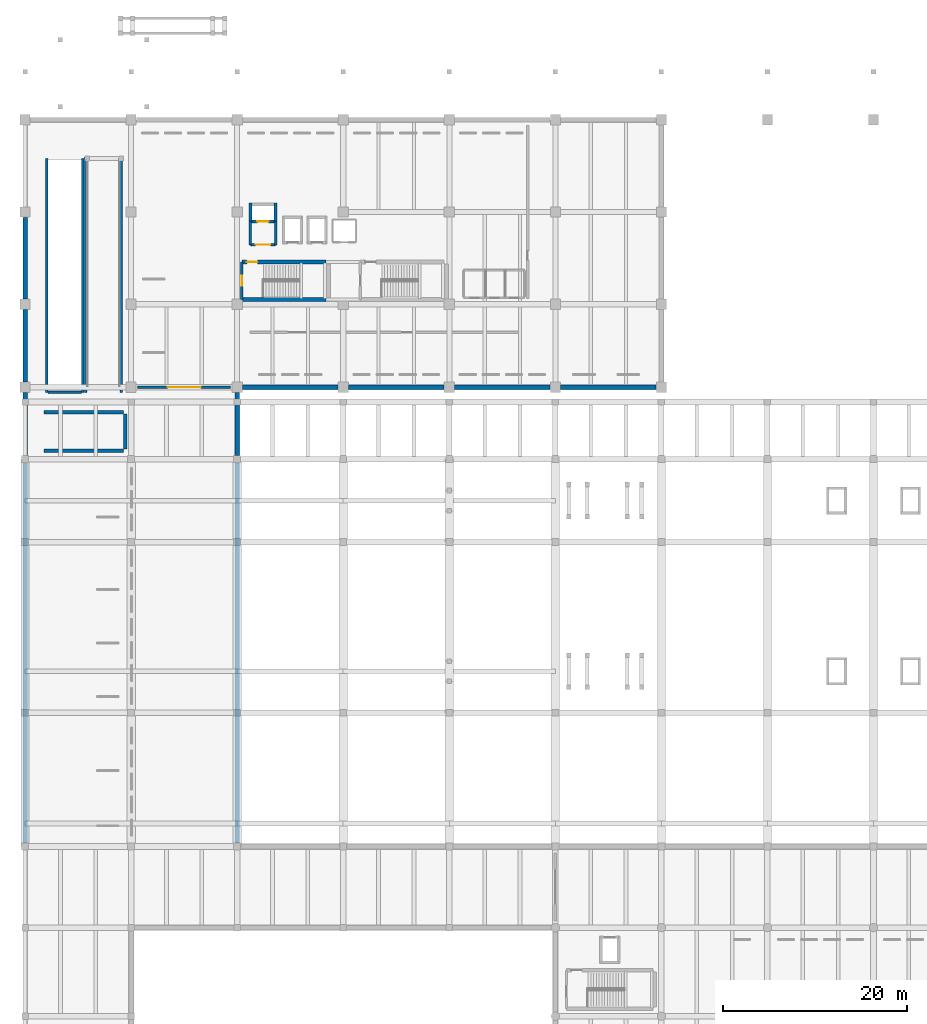
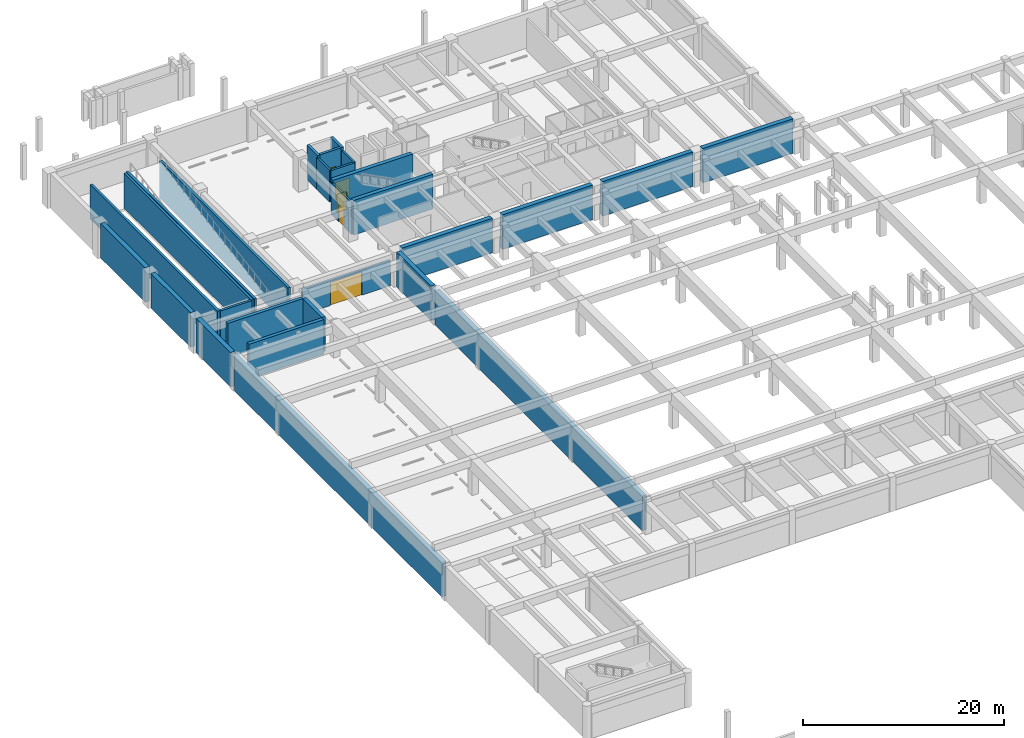
# One storey, part 11 of 20: 28 walls, 5 doors, 5 openings.
"""IFC4 building model written with IfcOpenShell, lengths in metres."""

from ifc_helpers import new_model, si_unit, direction, frame, frame_2d, origin, place, context, subcontext, project, spatial, rectangle, extrude, material, layer, layer_set, type_object, element, fill, save


model = new_model("IFC4")

# Units and contexts
model_context = context("Model", 3, precision=1e-05, world=origin(), true_north=direction((0.0, 1.0)))
body_context = subcontext(model_context, "Body", "Model", "MODEL_VIEW")
ifc_project = project(units=[si_unit("LENGTHUNIT", "METRE"), si_unit("AREAUNIT", "SQUARE_METRE"), si_unit("VOLUMEUNIT", "CUBIC_METRE"), si_unit("PLANEANGLEUNIT", "RADIAN"), si_unit("MASSUNIT", "GRAM", prefix="KILO")], contexts=[model_context])

# Site, building, storey
site_placement = place(None, origin())
site = spatial("IfcSite", under=ifc_project, at=site_placement, CompositionType="ELEMENT")
building_placement = place(site_placement, origin())
building = spatial("IfcBuilding", under=site, at=building_placement, Name="Ologun Quay Terminus", CompositionType="ELEMENT")
storey_placement = place(building_placement, frame((0.0, 0.0, -4.199951171875)))
storey = spatial("IfcBuildingStorey", under=building, at=storey_placement, Name="B01", CompositionType="ELEMENT", Elevation=-4.199951171875)

# Walls
ifc_material_1 = material(Name="Concrete C35/45", Category="concrete")
ifc_layer_1 = layer(ifc_material_1, 0.5)
ifc_layer_set_1 = layer_set([ifc_layer_1], Name="Concrete C35/45")
wall_type_1 = type_object("IfcWallType", Name="Basement Perimeter Retaining Wall 500", PredefinedType="SHEAR", material=ifc_layer_set_1)
wall_1_placement = place(storey_placement, frame((0.0, 36.39501953125, 0.0), z_axis=(0.0, 0.0, 1.0), x_axis=(0.0, 1.0, 0.0)))
element("IfcWall", 1, at=wall_1_placement, inside=storey, type_object=wall_type_1, Name="Retaining Wall WG-Y4 B01", PredefinedType="SHEAR", context=body_context, shape_type="SweptSolid", body=[
    extrude(rectangle(XDim=41.2099609375, YDim=0.5, at=frame_2d((20.60498046875, 0.0))), origin(), (0.0, 0.0, 1.0), 4.199951171875),
])
wall_2_placement = place(storey_placement, frame((0.0, 78.39501953125, 0.0), z_axis=(0.0, 0.0, 1.0), x_axis=(0.0, 1.0, 0.0)))
element("IfcWall", 2, at=wall_2_placement, inside=storey, type_object=wall_type_1, Name="Retaining Wall WG-Y5 B01", PredefinedType="SHEAR", context=body_context, shape_type="SweptSolid", body=[
    extrude(rectangle(XDim=6.8349609375, YDim=0.5, at=frame_2d((3.41748046875, 0.0))), origin(), (0.0, 0.0, 1.0), 4.199951171875),
])
wall_3_placement = place(storey_placement, frame((0.0, 86.3701171875, 0.0), z_axis=(0.0, 0.0, 1.0), x_axis=(0.0, 1.0, 0.0)))
element("IfcWall", 3, at=wall_3_placement, inside=storey, type_object=wall_type_1, Name="Retaining Wall WG-Y6 B01", PredefinedType="SHEAR", context=body_context, shape_type="SweptSolid", body=[
    extrude(rectangle(XDim=7.85986328125, YDim=0.5, at=frame_2d((3.929931640625, 0.0))), origin(), (0.0, 0.0, 1.0), 4.199951171875),
])
wall_4_placement = place(storey_placement, frame((0.0, 95.3701171875, 0.0), z_axis=(0.0, 0.0, 1.0), x_axis=(0.0, 1.0, 0.0)))
element("IfcWall", 4, at=wall_4_placement, inside=storey, type_object=wall_type_1, Name="Retaining Wall WG-Y7 B01", PredefinedType="SHEAR", context=body_context, shape_type="SweptSolid", body=[
    extrude(rectangle(XDim=8.85986328125, YDim=0.5, at=frame_2d((4.429931640625, 0.0))), origin(), (0.0, 0.0, 1.0), 4.199951171875),
])
wall_5_placement = place(storey_placement, frame((23.0, 36.39501953125, 0.0), z_axis=(0.0, 0.0, 1.0), x_axis=(0.0, 1.0, 0.0)))
element("IfcWall", 5, at=wall_5_placement, inside=storey, type_object=wall_type_1, Name="Retaining Wall TW-Y1 B01", PredefinedType="SHEAR", context=body_context, shape_type="SweptSolid", body=[
    extrude(rectangle(XDim=41.2099609375, YDim=0.5, at=frame_2d((20.60498046875, 0.0))), origin(), (0.0, 0.0, 1.0), 4.199951171875),
])
wall_6_placement = place(storey_placement, frame((23.0, 78.39501953125, 0.0), z_axis=(0.0, 0.0, 1.0), x_axis=(0.0, 1.0, 0.0)))
element("IfcWall", 6, at=wall_6_placement, inside=storey, type_object=wall_type_1, Name="Retaining Wall TW-Y2 B01", PredefinedType="SHEAR", context=body_context, shape_type="SweptSolid", body=[
    extrude(rectangle(XDim=6.8349609375, YDim=0.5, at=frame_2d((3.41748046875, 0.0))), origin(), (0.0, 0.0, 1.0), 4.199951171875),
])
for number, where, z_axis, x_axis, name in (
    (7, (23.570068359375, 85.800048828125, 0.0), (0.0, 0.0, 1.0), (1.0, 0.0, 0.0), "Retaining Wall TNW-3 B01"),
    (8, (35.070068359375, 85.800048828125, 0.0), (0.0, 0.0, 1.0), (1.0, 0.0, 0.0), "Retaining Wall TNW-4 B01"),
    (9, (46.570068359375, 85.800048828125, 0.0), (0.0, 0.0, 1.0), (1.0, 0.0, 0.0), "Retaining Wall TNW-5 B01"),
    (10, (58.070068359375, 85.800048828125, 0.0), (0.0, 0.0, 1.0), (1.0, 0.0, 0.0), "Retaining Wall TNW-6 B01"),
):
    element("IfcWall", number, at=place(storey_placement, frame(where, z_axis=z_axis, x_axis=x_axis)), inside=storey, type_object=wall_type_1, Name=name, PredefinedType="SHEAR", context=body_context, shape_type="SweptSolid", body=[
        extrude(rectangle(XDim=10.35986328125, YDim=0.5, at=frame_2d((5.179931640625, 0.0))), origin(), (0.0, 0.0, 1.0), 4.199951171875),
    ])
ifc_material_2 = material(Name="Concrete C45/55", Category="concrete")
ifc_layer_2 = layer(ifc_material_2, 0.449951171875)
ifc_layer_set_2 = layer_set([ifc_layer_2], Name="Concrete C45/55")
wall_type_2 = type_object("IfcWallType", Name="Coupled Wing Primary Core Shear Wall 450", PredefinedType="SHEAR", material=ifc_layer_set_2)
wall_7_placement = place(storey_placement, frame((23.5, 95.324951171875, 0.0), z_axis=(0.0, 0.0, 1.0), x_axis=(1.0, 0.0, 0.0)))
element("IfcWall", 11, at=wall_7_placement, inside=storey, type_object=wall_type_2, Name="WC1 Core South Shear Wall B01", PredefinedType="SHEAR", context=body_context, shape_type="SweptSolid", body=[
    extrude(rectangle(XDim=9.14990234375, YDim=0.449951171875, at=frame_2d((4.574951171875, 0.0))), origin(), (0.0, 0.0, 1.0), 4.199951171875),
])

# Wall, opening, door
wall_8_placement = place(storey_placement, frame((23.5, 99.375, 0.0), z_axis=(0.0, 0.0, 1.0), x_axis=(1.0, 0.0, 0.0)))
wall_8 = element("IfcWall", 12, at=wall_8_placement, inside=storey, type_object=wall_type_2, Name="WC1 Core North Shear Wall B01", PredefinedType="SHEAR", context=body_context, shape_type="SweptSolid", body=[
    extrude(rectangle(XDim=9.14990234375, YDim=0.449951171875, at=frame_2d((4.574951171875, 0.0))), origin(), (0.0, 0.0, 1.0), 4.199951171875),
])
opening_1_placement = place(wall_8_placement, frame((0.550048828125, 0.0, 0.0)))
opening_1 = element("IfcOpeningElement", 13, at=opening_1_placement, cuts=wall_8, Name="Opening ID-078", PredefinedType="OPENING", context=body_context, shape_type="SweptSolid", body=[
    extrude(rectangle(XDim=1.1298828125, YDim=2.14990234375, at=frame_2d((0.56494140625, 1.074951171875))), frame((0.0, 0.23486328125, 0.0), z_axis=(0.0, -1.0, 0.0), x_axis=(1.0, 0.0, 0.0)), (0.0, 0.0, 1.0), 0.469970703125),
])
ifc_material_3 = material(Name="Steel S355", Category="steel")
door_type_1 = type_object("IfcDoorType", Name="Stairwell Fire Escape Door 1130x2150", OperationType="SINGLE_SWING_LEFT", PredefinedType="DOOR", material=ifc_material_3)
door_1_placement = place(opening_1_placement, frame((0.56494140625, 0.0, 0.0), z_axis=(0.0, 0.0, 1.0), x_axis=(-1.0, 0.0, 0.0)))
door_1 = element("IfcDoor", 14, at=door_1_placement, inside=storey, type_object=door_type_1, Name="FD-01 Door ID-078", OperationType="SINGLE_SWING_LEFT", OverallHeight=2.14990234375, OverallWidth=1.1298828125, PredefinedType="DOOR", context=body_context, shape_type="SweptSolid", body=[
    extrude(rectangle(XDim=1.1298828125, YDim=2.14990234375, at=frame_2d((0.0, 1.074951171875))), frame((0.0, 0.02490234375, 0.0), z_axis=(0.0, -1.0, 0.0), x_axis=(1.0, 0.0, 0.0)), (0.0, 0.0, 1.0), 0.050048828125),
])
fill(opening_1, door_1)

ifc_material_4 = material(Name="Concrete C40/50", Category="concrete")
ifc_layer_3 = layer(ifc_material_4, 0.239990234375)
ifc_layer_set_3 = layer_set([ifc_layer_3], Name="Concrete C40/50")
wall_type_3 = type_object("IfcWallType", Name="Fire Compartment Blockwork Wall 240", PredefinedType="SOLIDWALL", material=ifc_layer_set_3)
wall_9_placement = place(storey_placement, frame((23.5, 95.330078125, 0.0), z_axis=(0.0, 0.0, 1.0), x_axis=(0.0, 1.0, 0.0)))
wall_9 = element("IfcWall", 15, at=wall_9_placement, inside=storey, type_object=wall_type_3, Name="PW-01 Partition WStair1-W", PredefinedType="SOLIDWALL", context=body_context, shape_type="SweptSolid", body=[
    extrude(rectangle(XDim=4.0400390625, YDim=0.239990234375, at=frame_2d((2.02001953125, 0.0))), origin(), (0.0, 0.0, 1.0), 3.85986328125),
])
opening_2_placement = place(wall_9_placement, frame((1.449951171875, 0.0, 0.0)))
opening_2 = element("IfcOpeningElement", 16, at=opening_2_placement, cuts=wall_9, Name="Opening ID-077", PredefinedType="OPENING", context=body_context, shape_type="SweptSolid", body=[
    extrude(rectangle(XDim=1.1298828125, YDim=2.14990234375, at=frame_2d((0.56494140625, 1.074951171875))), frame((0.0, 0.1298828125, 0.0), z_axis=(0.0, -1.0, 0.0), x_axis=(1.0, 0.0, 0.0)), (0.0, 0.0, 1.0), 0.260009765625),
])
door_2_placement = place(opening_2_placement, frame((0.56494140625, 0.0, 0.0), z_axis=(0.0, 0.0, 1.0), x_axis=(-1.0, 0.0, 0.0)))
door_2 = element("IfcDoor", 17, at=door_2_placement, inside=storey, type_object=door_type_1, Name="FD-01 Door ID-077", OperationType="SINGLE_SWING_LEFT", OverallHeight=2.14990234375, OverallWidth=1.1298828125, PredefinedType="DOOR", context=body_context, shape_type="SweptSolid", body=[
    extrude(rectangle(XDim=1.1298828125, YDim=2.14990234375, at=frame_2d((0.0, 1.074951171875))), frame((0.0, 0.02490234375, 0.0), z_axis=(0.0, -1.0, 0.0), x_axis=(1.0, 0.0, 0.0)), (0.0, 0.0, 1.0), 0.050048828125),
])
fill(opening_2, door_2)

wall_10_placement = place(storey_placement, frame((24.419921875, 101.25, 0.0), z_axis=(0.0, 0.0, 1.0), x_axis=(1.0, 0.0, 0.0)))
wall_10 = element("IfcWall", 18, at=wall_10_placement, inside=storey, type_object=wall_type_3, Name="PW-01 Partition WFFL-S", PredefinedType="SOLIDWALL", context=body_context, shape_type="SweptSolid", body=[
    extrude(rectangle(XDim=2.760009765625, YDim=0.239990234375, at=frame_2d((1.3798828125, 0.0))), origin(), (0.0, 0.0, 1.0), 3.85986328125),
])
opening_3_placement = place(wall_10_placement, frame((0.580078125, 0.0, 0.0)))
opening_3 = element("IfcOpeningElement", 19, at=opening_3_placement, cuts=wall_10, Name="Opening ID-081", PredefinedType="OPENING", context=body_context, shape_type="SweptSolid", body=[
    extrude(rectangle(XDim=1.60009765625, YDim=2.14990234375, at=frame_2d((0.800048828125, 1.074951171875))), frame((0.0, 0.1298828125, 0.0), z_axis=(0.0, -1.0, 0.0), x_axis=(1.0, 0.0, 0.0)), (0.0, 0.0, 1.0), 0.260009765625),
])
ifc_material_5 = material(Name="Steel S355", Category="steel")
door_type_2 = type_object("IfcDoorType", Name="Firefighting Lobby Double Smoke Door 1600x2150", OperationType="DOUBLE_DOOR_SINGLE_SWING", PredefinedType="DOOR", material=ifc_material_5)
door_3_placement = place(opening_3_placement, origin())
door_3 = element("IfcDoor", 20, at=door_3_placement, inside=storey, type_object=door_type_2, Name="FD-02 Door ID-081", OperationType="DOUBLE_DOOR_SINGLE_SWING", OverallHeight=2.14990234375, OverallWidth=1.60009765625, PredefinedType="DOOR", context=body_context, shape_type="SweptSolid", body=[
    extrude(rectangle(XDim=1.60009765625, YDim=2.14990234375, at=frame_2d((0.800048828125, 1.074951171875))), frame((0.0, 0.02490234375, 0.0), z_axis=(0.0, -1.0, 0.0), x_axis=(1.0, 0.0, 0.0)), (0.0, 0.0, 1.0), 0.050048828125),
])
fill(opening_3, door_3)

# Walls
for number, where, z_axis, x_axis, name in (
    (21, (24.419921875, 101.25, 0.0), (0.0, 0.0, 1.0), (0.0, 1.0, 0.0), "PW-01 Partition WFFL-W"),
    (22, (27.179931640625, 101.25, 0.0), (0.0, 0.0, 1.0), (0.0, 1.0, 0.0), "PW-01 Partition WFFL-E"),
):
    element("IfcWall", number, at=place(storey_placement, frame(where, z_axis=z_axis, x_axis=x_axis)), inside=storey, type_object=wall_type_3, Name=name, PredefinedType="SOLIDWALL", context=body_context, shape_type="SweptSolid", body=[
        extrude(rectangle(XDim=2.60009765625, YDim=0.239990234375, at=frame_2d((1.300048828125, 0.0))), origin(), (0.0, 0.0, 1.0), 3.85986328125),
    ])

# Wall, opening, door
wall_11_placement = place(storey_placement, frame((12.199951171875, 85.800048828125, 0.0), z_axis=(0.0, 0.0, 1.0), x_axis=(1.0, 0.0, 0.0)))
wall_11 = element("IfcWall", 23, at=wall_11_placement, inside=storey, type_object=wall_type_3, Name="PW-01 Partition B01-WestCPK-Portal", PredefinedType="SOLIDWALL", context=body_context, shape_type="SweptSolid", body=[
    extrude(rectangle(XDim=10.10009765625, YDim=0.239990234375, at=frame_2d((5.050048828125, 0.0))), origin(), (0.0, 0.0, 1.0), 3.079833984375),
])
opening_4_placement = place(wall_11_placement, frame((3.25, 0.0, 0.0)))
opening_4 = element("IfcOpeningElement", 24, at=opening_4_placement, cuts=wall_11, Name="Opening ID-287", PredefinedType="OPENING", context=body_context, shape_type="SweptSolid", body=[
    extrude(rectangle(XDim=3.60009765625, YDim=2.800048828125, at=frame_2d((1.800048828125, 1.39990234375))), frame((0.0, 0.1298828125, 0.0), z_axis=(0.0, -1.0, 0.0), x_axis=(1.0, 0.0, 0.0)), (0.0, 0.0, 1.0), 0.260009765625),
])
ifc_material_6 = material(Name="Steel S355", Category="steel")
door_type_3 = type_object("IfcDoorType", Name="Car Park Chamber Roller Shutter Gate 3600x2800", OperationType="ROLLINGUP", PredefinedType="GATE", material=ifc_material_6)
door_4_placement = place(opening_4_placement, origin())
door_4 = element("IfcDoor", 25, at=door_4_placement, inside=storey, type_object=door_type_3, Name="VD-01 Door ID-287", OperationType="ROLLINGUP", OverallHeight=2.800048828125, OverallWidth=3.60009765625, PredefinedType="GATE", context=body_context, shape_type="SweptSolid", body=[
    extrude(rectangle(XDim=3.60009765625, YDim=2.800048828125, at=frame_2d((1.800048828125, 1.39990234375))), frame((0.0, 0.02490234375, 0.0), z_axis=(0.0, -1.0, 0.0), x_axis=(1.0, 0.0, 0.0)), (0.0, 0.0, 1.0), 0.050048828125),
])
fill(opening_4, door_4)

ifc_material_7 = material(Name="Concrete C40/50", Category="concrete")
ifc_layer_4 = layer(ifc_material_7, 0.300048828125)
ifc_layer_set_4 = layer_set([ifc_layer_4], Name="Concrete C40/50")
wall_type_4 = type_object("IfcWallType", Name="Lift Shaft Structural Shear Wall 300", PredefinedType="SHEAR", material=ifc_layer_set_4)
wall_12_placement = place(storey_placement, frame((24.449951171875, 103.780029296875, 0.0), z_axis=(0.0, 0.0, 1.0), x_axis=(1.0, 0.0, 0.0)))
wall_12 = element("IfcWall", 26, at=wall_12_placement, inside=storey, type_object=wall_type_4, Name="Lift FFL-01 Shaft Wall S B01", PredefinedType="SHEAR", context=body_context, shape_type="SweptSolid", body=[
    extrude(rectangle(XDim=2.699951171875, YDim=0.300048828125, at=frame_2d((1.35009765625, 0.0))), origin(), (0.0, 0.0, 1.0), 4.199951171875),
])
opening_5_placement = place(wall_12_placement, frame((0.75, 0.0, 0.0)))
opening_5 = element("IfcOpeningElement", 27, at=opening_5_placement, cuts=wall_12, Name="Opening ID-002", PredefinedType="OPENING", context=body_context, shape_type="SweptSolid", body=[
    extrude(rectangle(XDim=1.199951171875, YDim=2.14990234375, at=frame_2d((0.60009765625, 1.074951171875))), frame((0.0, 0.16015625, 0.0), z_axis=(0.0, -1.0, 0.0), x_axis=(1.0, 0.0, 0.0)), (0.0, 0.0, 1.0), 0.320068359375),
])
ifc_material_8 = material(Name="Steel S355", Category="steel")
door_type_4 = type_object("IfcDoorType", Name="Firefighting Lift Landing Sliding Door 1200x2150", OperationType="SLIDING_TO_RIGHT", PredefinedType="DOOR", material=ifc_material_8)
door_5_placement = place(opening_5_placement, origin())
door_5 = element("IfcDoor", 28, at=door_5_placement, inside=storey, type_object=door_type_4, Name="LD-02 Door ID-002", OperationType="SLIDING_TO_RIGHT", OverallHeight=2.14990234375, OverallWidth=1.199951171875, PredefinedType="DOOR", context=body_context, shape_type="SweptSolid", body=[
    extrude(rectangle(XDim=1.199951171875, YDim=2.14990234375, at=frame_2d((0.60009765625, 1.074951171875))), frame((0.0, 0.02490234375, 0.0), z_axis=(0.0, -1.0, 0.0), x_axis=(1.0, 0.0, 0.0)), (0.0, 0.0, 1.0), 0.050048828125),
])
fill(opening_5, door_5)

# Walls
for number, where, z_axis, x_axis, name in (
    (29, (24.449951171875, 103.6298828125, 0.0), (0.0, 0.0, 1.0), (0.0, 1.0, 0.0), "Lift FFL-01 Shaft Wall W B01"),
    (30, (27.14990234375, 103.6298828125, 0.0), (0.0, 0.0, 1.0), (0.0, 1.0, 0.0), "Lift FFL-01 Shaft Wall E B01"),
):
    element("IfcWall", number, at=place(storey_placement, frame(where, z_axis=z_axis, x_axis=x_axis)), inside=storey, type_object=wall_type_4, Name=name, PredefinedType="SHEAR", context=body_context, shape_type="SweptSolid", body=[
        extrude(rectangle(XDim=2.14013671875, YDim=0.300048828125, at=frame_2d((1.070068359375, 0.0))), origin(), (0.0, 0.0, 1.0), 4.199951171875),
    ])
ifc_material_9 = material(Name="Concrete C40/50", Category="concrete")
ifc_layer_5 = layer(ifc_material_9, 0.3798828125)
ifc_layer_set_5 = layer_set([ifc_layer_5], Name="Concrete C40/50")
wall_type_5 = type_object("IfcWallType", Name="Platform Spine Shear Wall 380", PredefinedType="SHEAR", material=ifc_layer_set_5)
for number, where, z_axis, x_axis, name in (
    (31, (2.050048828125, 78.909912109375, 0.0), (0.0, 0.0, 1.0), (1.0, 0.0, 0.0), "Station Core 5 S Shear Wall B01"),
    (32, (2.050048828125, 83.090087890625, 0.0), (0.0, 0.0, 1.0), (1.0, 0.0, 0.0), "Station Core 5 N Shear Wall B01"),
):
    element("IfcWall", number, at=place(storey_placement, frame(where, z_axis=z_axis, x_axis=x_axis)), inside=storey, type_object=wall_type_5, Name=name, PredefinedType="SHEAR", context=body_context, shape_type="SweptSolid", body=[
        extrude(rectangle(XDim=8.599853515625, YDim=0.3798828125, at=frame_2d((4.2998046875, 0.0))), origin(), (0.0, 0.0, 1.0), 4.199951171875),
    ])
wall_13_placement = place(storey_placement, frame((10.840087890625, 79.10009765625, 0.0), z_axis=(0.0, 0.0, 1.0), x_axis=(0.0, 1.0, 0.0)))
element("IfcWall", 33, at=wall_13_placement, inside=storey, type_object=wall_type_5, Name="Station Core 5 E Shear Wall B01", PredefinedType="SHEAR", context=body_context, shape_type="SweptSolid", body=[
    extrude(rectangle(XDim=3.7998046875, YDim=0.3798828125, at=frame_2d((1.89990234375, 0.0))), origin(), (0.0, 0.0, 1.0), 4.199951171875),
])
ifc_material_10 = material(Name="Concrete C40/50", Category="concrete")
ifc_layer_6 = layer(ifc_material_10, 0.27001953125)
ifc_layer_set_6 = layer_set([ifc_layer_6], Name="Concrete C40/50")
wall_type_6 = type_object("IfcWallType", Name="Vehicle Ramp Bay Structural Wall 270", PredefinedType="SHEAR", material=ifc_layer_set_6)
for number, where, z_axis, x_axis, name in (
    (34, (2.364990234375, 85.25, 0.0), (0.0, 0.0, 1.0), (0.0, 1.0, 0.0), "SW-RMP Vehicle Ramp Wall B01-B02W"),
    (35, (6.235107421875, 85.25, 0.0), (0.0, 0.0, 1.0), (0.0, 1.0, 0.0), "SW-RMP Vehicle Ramp Wall B01-B02E"),
):
    element("IfcWall", number, at=place(storey_placement, frame(where, z_axis=z_axis, x_axis=x_axis)), inside=storey, type_object=wall_type_6, Name=name, PredefinedType="SHEAR", context=body_context, shape_type="SweptSolid", body=[
        extrude(rectangle(XDim=25.35009765625, YDim=0.27001953125, at=frame_2d((12.675048828125, 0.0))), origin(), (0.0, 0.0, 1.0), 4.199951171875),
    ])
wall_14_placement = place(storey_placement, frame((2.5, 85.264892578125, 0.0), z_axis=(0.0, 0.0, 1.0), x_axis=(1.0, 0.0, 0.0)))
element("IfcWall", 36, at=wall_14_placement, inside=storey, type_object=wall_type_6, Name="SW-RMP Vehicle Ramp Wall B01-B02S", PredefinedType="SHEAR", context=body_context, shape_type="SweptSolid", body=[
    extrude(rectangle(XDim=3.60009765625, YDim=0.27001953125, at=frame_2d((1.800048828125, 0.0))), origin(), (0.0, 0.0, 1.0), 4.199951171875),
])
for number, where, z_axis, x_axis, name in (
    (37, (6.56494140625, 85.25, -0.380126953125), (0.0, 0.0, 1.0), (0.0, 1.0, 0.0), "SW-RMP Vehicle Ramp Wall B01-B01W"),
    (38, (10.43505859375, 85.25, -0.380126953125), (0.0, 0.0, 1.0), (0.0, 1.0, 0.0), "SW-RMP Vehicle Ramp Wall B01-B01E"),
):
    element("IfcWall", number, at=place(storey_placement, frame(where, z_axis=z_axis, x_axis=x_axis)), inside=storey, type_object=wall_type_6, Name=name, PredefinedType="SHEAR", context=body_context, shape_type="SweptSolid", body=[
        extrude(rectangle(XDim=25.5, YDim=0.27001953125, at=frame_2d((12.75, 0.0))), origin(), (0.0, 0.0, 1.0), 4.580078125),
    ])

save(model, "model.ifc")
